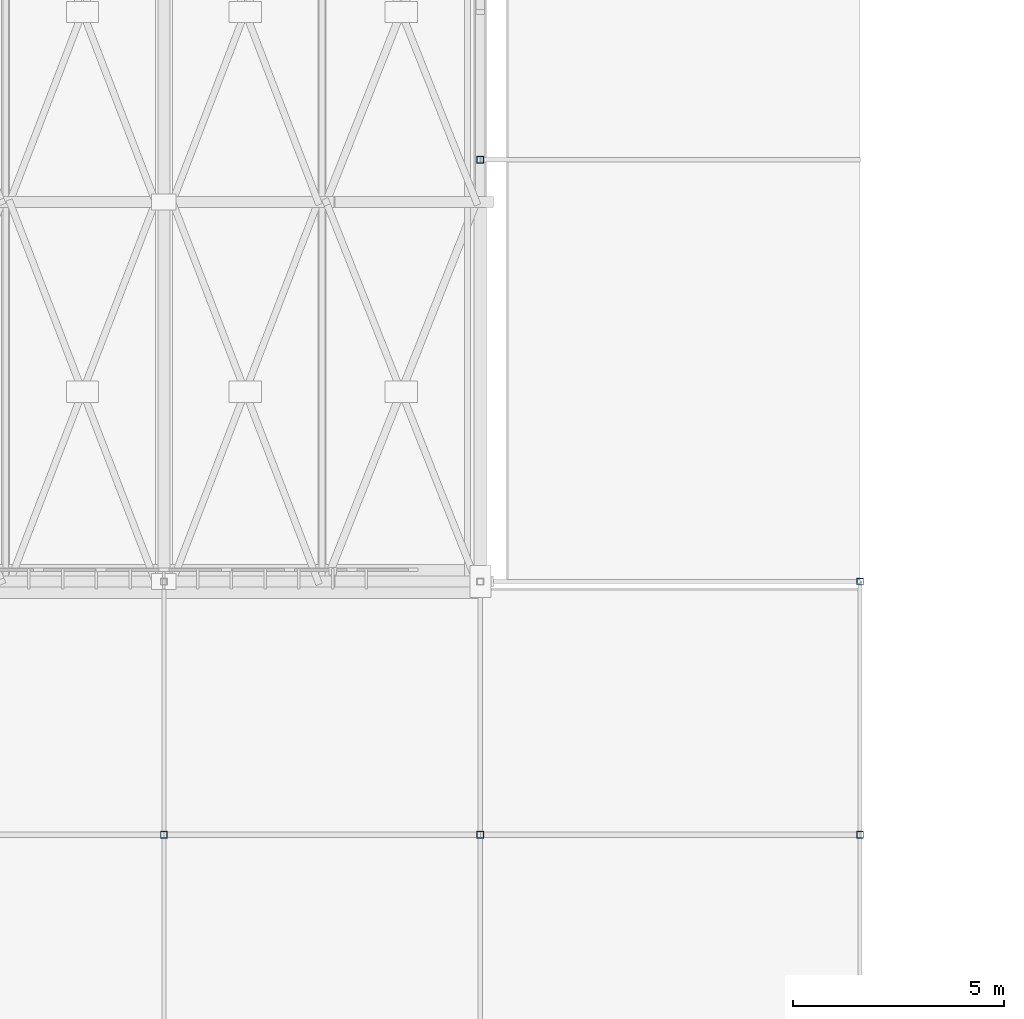
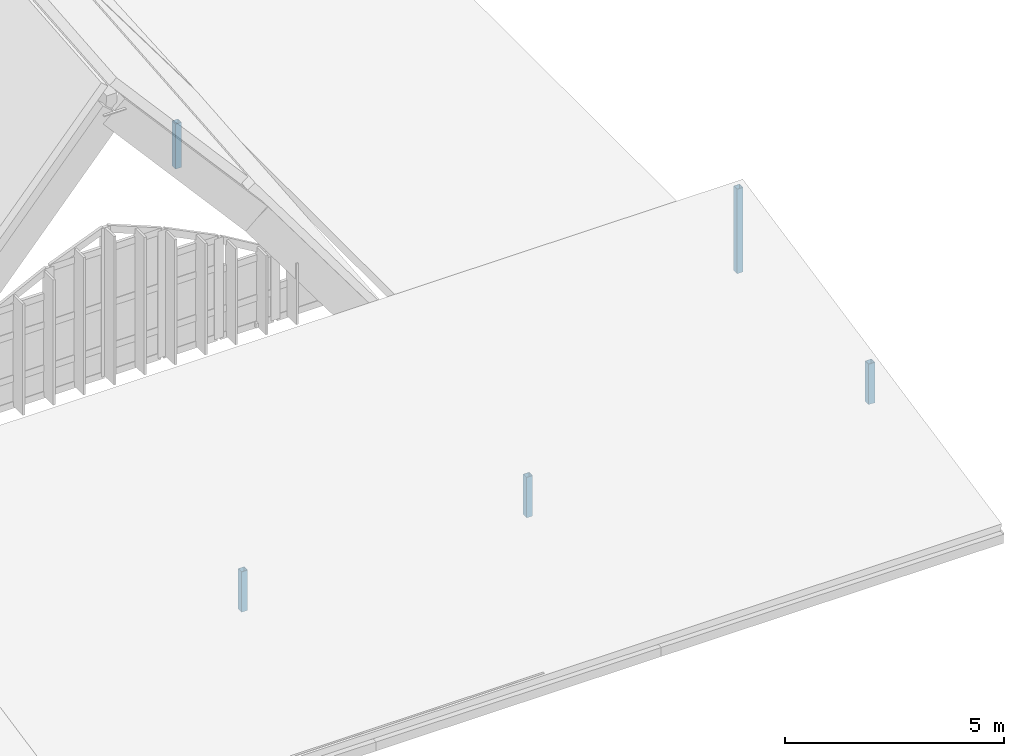
# One storey, part 9 of 93: 5 columns.
"""IFC4 building model written with IfcOpenShell, lengths in metres."""

import ifcopenshell
import ifcopenshell.guid

model = None  # the IFC model being written
_history = None  # IfcOwnerHistory: only IFC2X3 demands one
_inside = {}  # id of a spatial element -> (the spatial element, [elements in it])
_under = {}  # id of a project, library or spatial element -> (it, [spatial elements below it])
_declared = {}  # id of a project -> (the project, [libraries it declares])
_typed = {}  # id of a type object -> (the type object, [elements of that type])
_made_of = {}  # id of a material, layer set ... -> (it, [elements and type objects made of it])


def new_model(schema):
    """Start an empty IFC model of exactly this schema.

    Asked for "IFC4X3", IfcOpenShell would pick the latest addendum, in which some entities
    have other attributes; the version numbers below select the first issue.
    IFC2X3 requires an IfcOwnerHistory on every rooted entity: one is made here for all.
    """
    global model, _history
    if schema == "IFC4X3":
        model = ifcopenshell.file(schema_version=(4, 3, 0, 0))
    else:
        model = ifcopenshell.file(schema=schema)
    _inside.clear()
    _under.clear()
    _declared.clear()
    _typed.clear()
    _made_of.clear()
    _history = None
    if model.schema == "IFC2X3":
        org = make("IfcOrganization", Name="unknown")
        user = make(
            "IfcPersonAndOrganization",
            ThePerson=make("IfcPerson", FamilyName="unknown"),
            TheOrganization=org,
        )
        app = make(
            "IfcApplication",
            ApplicationDeveloper=org,
            Version="unknown",
            ApplicationFullName="unknown",
            ApplicationIdentifier="unknown",
        )
        _history = make(
            "IfcOwnerHistory",
            OwningUser=user,
            OwningApplication=app,
            ChangeAction="ADDED",
            CreationDate=0,
        )
    return model


def make(cls, **values):
    """One entity of the class cls with the attributes given. An attribute that is None is left unset."""
    return model.create_entity(
        cls, **{name: value for name, value in values.items() if value is not None}
    )


def rooted(cls, **values):
    """An entity with a GlobalId (a new one), such as an element, a storey or a relation."""
    return make(cls, GlobalId=ifcopenshell.guid.new(), OwnerHistory=_history, **values)


def si_unit(unit_type, name, prefix=None):
    """IfcSIUnit, for example si_unit("LENGTHUNIT", "METRE", prefix="MILLI")."""
    return make("IfcSIUnit", UnitType=unit_type, Prefix=prefix, Name=name)


def assignment(units):
    """IfcUnitAssignment: the units of a project."""
    return None if units is None else make("IfcUnitAssignment", Units=units)


def point(xyz):
    """IfcCartesianPoint."""
    return None if xyz is None else make("IfcCartesianPoint", Coordinates=xyz)


def direction(xyz):
    """IfcDirection."""
    return None if xyz is None else make("IfcDirection", DirectionRatios=xyz)


def frame(location, z_axis=None, x_axis=None):
    """IfcAxis2Placement3D, a coordinate frame: its origin and axes. An axis left out is left unset."""
    return make(
        "IfcAxis2Placement3D",
        Location=point(location),
        Axis=direction(z_axis),
        RefDirection=direction(x_axis),
    )


def frame_2d(location, x_axis=None):
    """IfcAxis2Placement2D, a coordinate frame in the plane: its origin and x axis."""
    return make(
        "IfcAxis2Placement2D", Location=point(location), RefDirection=direction(x_axis)
    )


def origin():
    """The frame at (0, 0, 0) with its axes left unset."""
    return frame((0.0, 0.0, 0.0))


def origin_2d():
    """The frame at (0, 0) in the plane with its x axis left unset."""
    return frame_2d((0.0, 0.0))


def place(relative_to, where):
    """IfcLocalPlacement: puts the frame where relative to a parent placement (None: the world)."""
    return make(
        "IfcLocalPlacement", PlacementRelTo=relative_to, RelativePlacement=where
    )


def context(
    kind, dimensions, precision=None, world=None, true_north=None, identifier=None
):
    """IfcGeometricRepresentationContext, for example the 3D "Model" context."""
    return make(
        "IfcGeometricRepresentationContext",
        ContextIdentifier=identifier,
        ContextType=kind,
        CoordinateSpaceDimension=dimensions,
        Precision=precision,
        WorldCoordinateSystem=world,
        TrueNorth=true_north,
    )


def subcontext(parent, identifier, kind, view, scale=None):
    """IfcGeometricRepresentationSubContext, for example "Body" below "Model"."""
    return make(
        "IfcGeometricRepresentationSubContext",
        ContextIdentifier=identifier,
        ContextType=kind,
        ParentContext=parent,
        TargetScale=scale,
        TargetView=view,
    )


def project(units=None, contexts=None):
    """IfcProject with its units and contexts."""
    return rooted(
        "IfcProject",
        Name="project",
        RepresentationContexts=contexts,
        UnitsInContext=assignment(units),
    )


def spatial(cls, under=None, at=None, **own):
    """A site, building, storey or space (cls), placed at a placement, below another one or the project."""
    s = rooted(cls, ObjectPlacement=at, **own)
    if under is not None:
        _under.setdefault(under.id(), (under, []))[1].append(s)
    return s


def profile(cls, at=None, kind="AREA", **sizes):
    """A parametric profile (cls). Its sizes go by their IFC names, for example OverallWidth=200.0."""
    return make(cls, ProfileType=kind, Position=at, **sizes)


def hollow_rectangle(**sizes):
    """IfcRectangleHollowProfileDef."""
    return profile("IfcRectangleHollowProfileDef", **sizes)


def extrude(swept, where, along, depth):
    """IfcExtrudedAreaSolid: the profile swept, set in the frame where, extruded along a direction by depth."""
    return make(
        "IfcExtrudedAreaSolid",
        SweptArea=swept,
        Position=where,
        ExtrudedDirection=direction(along),
        Depth=depth,
    )


def shape(context_of_items, identifier, shape_type, items):
    """IfcShapeRepresentation: the items that make up one representation, for example the "Body"."""
    return make(
        "IfcShapeRepresentation",
        ContextOfItems=context_of_items,
        RepresentationIdentifier=identifier,
        RepresentationType=shape_type,
        Items=items,
    )


def material(Name=None, Category=None):
    """IfcMaterial."""
    return make("IfcMaterial", Name=Name, Category=Category)


def material_profile(
    of_material, cross_section, Name=None, Category=None, Priority=None
):
    """IfcMaterialProfile: a cross section and its material."""
    return make(
        "IfcMaterialProfile",
        Name=Name,
        Material=of_material,
        Profile=cross_section,
        Priority=Priority,
        Category=Category,
    )


def profile_set(profiles, Name=None, composite=None):
    """IfcMaterialProfileSet."""
    return make(
        "IfcMaterialProfileSet",
        Name=Name,
        MaterialProfiles=profiles,
        CompositeProfile=composite,
    )


def made_of(thing, what):
    """Note that an element or type object is made of a material, layer set ...; save() writes the relation."""
    if what is not None:
        _made_of.setdefault(what.id(), (what, []))[1].append(thing)
    return thing


def type_object(cls, material=None, **own):
    """A type object (cls), such as IfcWallType, which elements share."""
    return made_of(rooted(cls, **own), material)


def element(
    cls,
    number,
    at=None,
    inside=None,
    cuts=None,
    type_object=None,
    material=None,
    context=None,
    identifier="Body",
    shape_type=None,
    held_by="IfcProductDefinitionShape",
    body=None,
    shapes=None,
    **own,
):
    """One element of the class cls, such as IfcWall. Its Tag is "e" and its number.

    at: its placement. inside: the storey or other place that contains it. cuts: it is an
    opening in that element (IfcRelVoidsElement). A single representation is given by context,
    identifier, shape_type and body (its items); several are given by shapes. held_by: the class
    of the entity that holds the representations. save() writes the other relations.
    """
    e = rooted(cls, Tag="e%d" % number, ObjectPlacement=at, **own)
    if body is not None:
        shapes = [shape(context, identifier, shape_type, body)]
    if shapes is not None:
        e.Representation = make(held_by, Representations=shapes)
    if inside is not None:
        _inside.setdefault(inside.id(), (inside, []))[1].append(e)
    if cuts is not None:
        rooted(
            "IfcRelVoidsElement", RelatingBuildingElement=cuts, RelatedOpeningElement=e
        )
    if type_object is not None:
        _typed.setdefault(type_object.id(), (type_object, []))[1].append(e)
    return made_of(e, material)


def aggregate(whole, parts):
    """IfcRelAggregates: a whole, such as a stair, and the parts it consists of."""
    return rooted("IfcRelAggregates", RelatingObject=whole, RelatedObjects=parts)


def save(model, path):
    """Write the relations noted so far, then the file.

    IfcRelAggregates (storeys below a building ...), IfcRelContainedInSpatialStructure (elements
    in a storey), IfcRelDefinesByType, IfcRelAssociatesMaterial and IfcRelDeclares: one each for
    every whole, place, type object, material and project.
    """
    for whole, parts in _under.values():
        aggregate(whole, parts)
    for where, things in _inside.values():
        rooted(
            "IfcRelContainedInSpatialStructure",
            RelatedElements=things,
            RelatingStructure=where,
        )
    for kind, things in _typed.values():
        rooted("IfcRelDefinesByType", RelatedObjects=things, RelatingType=kind)
    for what, things in _made_of.values():
        rooted("IfcRelAssociatesMaterial", RelatedObjects=things, RelatingMaterial=what)
    for by, libraries in _declared.values():
        rooted("IfcRelDeclares", RelatingContext=by, RelatedDefinitions=libraries)
    model.write(path)


model = new_model("IFC4")

# Units and contexts
model_context = context("Model", 3, precision=1e-05, world=origin(), true_north=direction((0.0, 1.0)))
body_context = subcontext(model_context, "Body", "Model", "MODEL_VIEW")
ifc_project = project(units=[si_unit("LENGTHUNIT", "METRE"), si_unit("AREAUNIT", "SQUARE_METRE"), si_unit("VOLUMEUNIT", "CUBIC_METRE"), si_unit("PLANEANGLEUNIT", "RADIAN"), si_unit("MASSUNIT", "GRAM", prefix="KILO")], contexts=[model_context])

# Site, building, storey
site_placement = place(None, origin())
site = spatial("IfcSite", under=ifc_project, at=site_placement, CompositionType="ELEMENT")
building_placement = place(site_placement, origin())
building = spatial("IfcBuilding", under=site, at=building_placement, Name="Vourika Railside Aquatics Centre", CompositionType="ELEMENT")
storey_placement = place(building_placement, frame((0.0, 0.0, 21.89990234375)))
storey = spatial("IfcBuildingStorey", under=building, at=storey_placement, Name="Roof", CompositionType="ELEMENT", Elevation=21.89990234375)

# Columns
ifc_material = material(Name="Steel S355J2", Category="steel")
ifc_material_profile = material_profile(ifc_material, hollow_rectangle(XDim=0.159912109375, YDim=0.159912109375, WallThickness=0.008056640625, at=origin_2d()), Name="SHS 160x160x8")
ifc_profile_set = profile_set([ifc_material_profile], Name="Steel S355J2")
column_type = type_object("IfcColumnType", Name="COL-STL-SHS160", PredefinedType="COLUMN", material=ifc_profile_set)
for number, where, z_axis, x_axis, name in (
    (1, (133.5, 6.0, -12.599853515625), (0.0, 0.0, 1.0), (1.0, 0.0, 0.0), "Changing Roof Mid-Span Post (133.5,6.0)"),
    (2, (141.0, 6.0, -12.599853515625), (0.0, 0.0, 1.0), (1.0, 0.0, 0.0), "Changing Roof Mid-Span Post (141.0,6.0)"),
):
    element("IfcColumn", number, at=place(storey_placement, frame(where, z_axis=z_axis, x_axis=x_axis)), inside=storey, type_object=column_type, Name=name, PredefinedType="COLUMN", context=body_context, shape_type="SweptSolid", body=[
        extrude(hollow_rectangle(XDim=0.159912109375, YDim=0.159912109375, WallThickness=0.008056640625, at=origin_2d()), origin(), (0.0, 0.0, 1.0), 1.125),
    ])
column_1_placement = place(storey_placement, frame((150.0, 12.0, -12.599853515625), z_axis=(0.0, 0.0, 1.0), x_axis=(1.0, 0.0, 0.0)))
element("IfcColumn", 3, at=column_1_placement, inside=storey, type_object=column_type, Name="Changing Roof Ridge Post (150.0,12.0)", PredefinedType="COLUMN", context=body_context, shape_type="SweptSolid", body=[
    extrude(hollow_rectangle(XDim=0.159912109375, YDim=0.159912109375, WallThickness=0.008056640625, at=origin_2d()), origin(), (0.0, 0.0, 1.0), 2.349853515625),
])
column_2_placement = place(storey_placement, frame((150.0, 6.0, -12.599853515625), z_axis=(0.0, 0.0, 1.0), x_axis=(1.0, 0.0, 0.0)))
element("IfcColumn", 4, at=column_2_placement, inside=storey, type_object=column_type, Name="Changing Roof Mid-Span Post (150.0,6.0)", PredefinedType="COLUMN", context=body_context, shape_type="SweptSolid", body=[
    extrude(hollow_rectangle(XDim=0.159912109375, YDim=0.159912109375, WallThickness=0.008056640625, at=origin_2d()), origin(), (0.0, 0.0, 1.0), 1.125),
])
column_3_placement = place(storey_placement, frame((141.0, 22.0, -12.599853515625), z_axis=(0.0, 0.0, 1.0), x_axis=(1.0, 0.0, 0.0)))
element("IfcColumn", 5, at=column_3_placement, inside=storey, type_object=column_type, Name="Changing East Roof Post (141,22)", PredefinedType="COLUMN", context=body_context, shape_type="SweptSolid", body=[
    extrude(hollow_rectangle(XDim=0.159912109375, YDim=0.159912109375, WallThickness=0.008056640625, at=origin_2d()), origin(), (0.0, 0.0, 1.0), 1.25),
])

save(model, "model.ifc")
